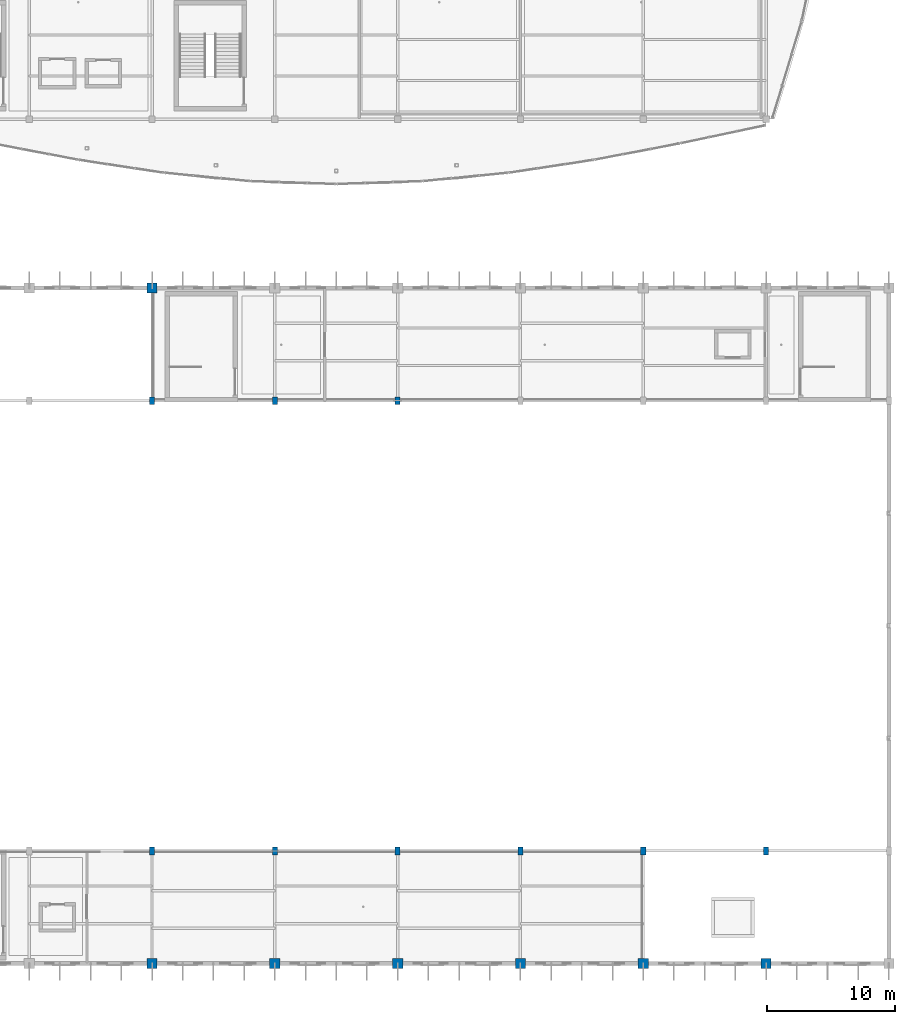
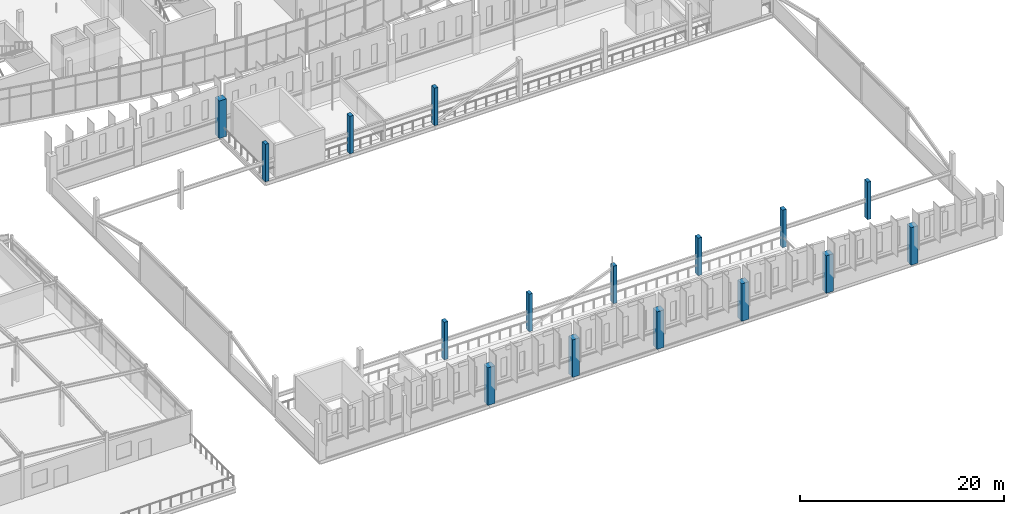
# One storey, part 6 of 114: 16 columns.
"""IFC4 building model written with IfcOpenShell, lengths in metres."""

from ifc_helpers import new_model, si_unit, direction, frame, origin, origin_2d, place, context, subcontext, project, spatial, rectangle, extrude, material, material_profile, profile_set, type_object, element, save


model = new_model("IFC4")

# Units and contexts
model_context = context("Model", 3, precision=1e-05, world=origin(), true_north=direction((0.0, 1.0)))
body_context = subcontext(model_context, "Body", "Model", "MODEL_VIEW")
ifc_project = project(units=[si_unit("LENGTHUNIT", "METRE"), si_unit("AREAUNIT", "SQUARE_METRE"), si_unit("VOLUMEUNIT", "CUBIC_METRE"), si_unit("PLANEANGLEUNIT", "RADIAN"), si_unit("MASSUNIT", "GRAM", prefix="KILO")], contexts=[model_context])

# Site, building, storey
site_placement = place(None, origin())
site = spatial("IfcSite", under=ifc_project, at=site_placement, CompositionType="ELEMENT")
building_placement = place(site_placement, origin())
building = spatial("IfcBuilding", under=site, at=building_placement, Name="Chalmorin Arch Market", CompositionType="ELEMENT")
storey_placement = place(building_placement, frame((0.0, 0.0, 9.60009765625)))
storey = spatial("IfcBuildingStorey", under=building, at=storey_placement, Name="L02", CompositionType="ELEMENT", Elevation=9.60009765625)

# Columns
ifc_material_1 = material(Name="Concrete C50/60", Category="concrete")
ifc_material_profile_1 = material_profile(ifc_material_1, rectangle(XDim=0.800048828125, YDim=0.800048828125, at=origin_2d()), Name="RC800X800")
ifc_profile_set_1 = profile_set([ifc_material_profile_1], Name="Concrete C50/60")
column_type_1 = type_object("IfcColumnType", Name="ArchPierColumn-800x800", PredefinedType="COLUMN", material=ifc_profile_set_1)
for number, where, z_axis, x_axis, name in (
    (1, (67.199951171875, 6.0, 0.0), (0.0, 0.0, 1.0), (1.0, 0.0, 0.0), "C-AP1-315"),
    (2, (67.199951171875, 58.800048828125, 0.0), (0.0, 0.0, 1.0), (1.0, 0.0, 0.0), "C-AP1-333"),
    (3, (76.800048828125, 6.0, 0.0), (0.0, 0.0, 1.0), (1.0, 0.0, 0.0), "C-AP1-370"),
    (4, (86.39990234375, 6.0, 0.0), (0.0, 0.0, 1.0), (1.0, 0.0, 0.0), "C-AP1-425"),
    (5, (96.0, 6.0, 0.0), (0.0, 0.0, 1.0), (1.0, 0.0, 0.0), "C-AP1-480"),
    (6, (105.60009765625, 6.0, 0.0), (0.0, 0.0, 1.0), (1.0, 0.0, 0.0), "C-AP1-535"),
    (7, (115.199951171875, 6.0, 0.0), (0.0, 0.0, 1.0), (1.0, 0.0, 0.0), "C-AP1-590"),
):
    element("IfcColumn", number, at=place(storey_placement, frame(where, z_axis=z_axis, x_axis=x_axis)), inside=storey, type_object=column_type_1, Name=name, PredefinedType="COLUMN", context=body_context, shape_type="SweptSolid", body=[
        extrude(rectangle(XDim=0.800048828125, YDim=0.800048828125, at=origin_2d()), origin(), (0.0, 0.0, 1.0), 4.5),
    ])
ifc_material_2 = material(Name="Concrete C40/50", Category="concrete")
ifc_material_profile_2 = material_profile(ifc_material_2, rectangle(XDim=0.39990234375, YDim=0.60009765625, at=origin_2d()), Name="RC400X600")
ifc_profile_set_2 = profile_set([ifc_material_profile_2], Name="Concrete C40/50")
column_type_2 = type_object("IfcColumnType", Name="GalleryConcreteColumn-400x600", PredefinedType="COLUMN", material=ifc_profile_set_2)
for number, where, z_axis, x_axis, name in (
    (8, (67.199951171875, 14.800048828125, 0.0), (0.0, 0.0, 1.0), (1.0, 0.0, 0.0), "C-RC5-320"),
    (9, (67.199951171875, 50.0, 0.0), (0.0, 0.0, 1.0), (1.0, 0.0, 0.0), "C-RC5-328"),
    (10, (76.800048828125, 14.800048828125, 0.0), (0.0, 0.0, 1.0), (1.0, 0.0, 0.0), "C-RC5-375"),
    (11, (76.800048828125, 50.0, 0.0), (0.0, 0.0, 1.0), (1.0, 0.0, 0.0), "C-RC5-383"),
    (12, (86.39990234375, 14.800048828125, 0.0), (0.0, 0.0, 1.0), (1.0, 0.0, 0.0), "C-RC5-430"),
    (13, (86.39990234375, 50.0, 0.0), (0.0, 0.0, 1.0), (1.0, 0.0, 0.0), "C-RC5-438"),
    (14, (96.0, 14.800048828125, 0.0), (0.0, 0.0, 1.0), (1.0, 0.0, 0.0), "C-RC5-485"),
    (15, (105.60009765625, 14.800048828125, 0.0), (0.0, 0.0, 1.0), (1.0, 0.0, 0.0), "C-RC5-540"),
    (16, (115.199951171875, 14.800048828125, 0.0), (0.0, 0.0, 1.0), (1.0, 0.0, 0.0), "C-RC5-595"),
):
    element("IfcColumn", number, at=place(storey_placement, frame(where, z_axis=z_axis, x_axis=x_axis)), inside=storey, type_object=column_type_2, Name=name, PredefinedType="COLUMN", context=body_context, shape_type="SweptSolid", body=[
        extrude(rectangle(XDim=0.39990234375, YDim=0.60009765625, at=origin_2d()), origin(), (0.0, 0.0, 1.0), 4.5),
    ])

save(model, "model.ifc")
